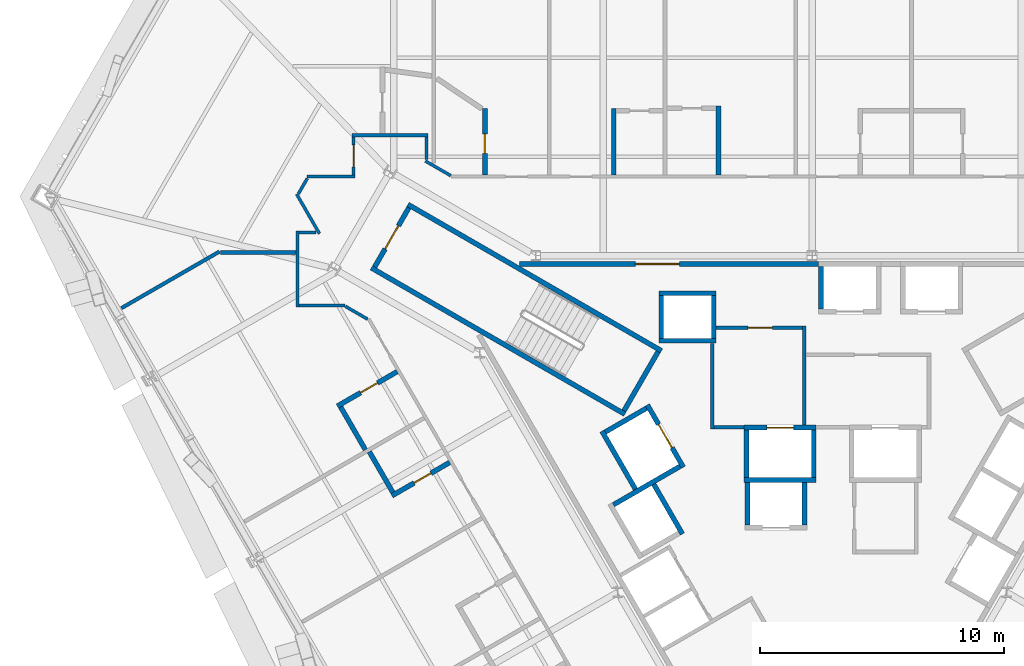
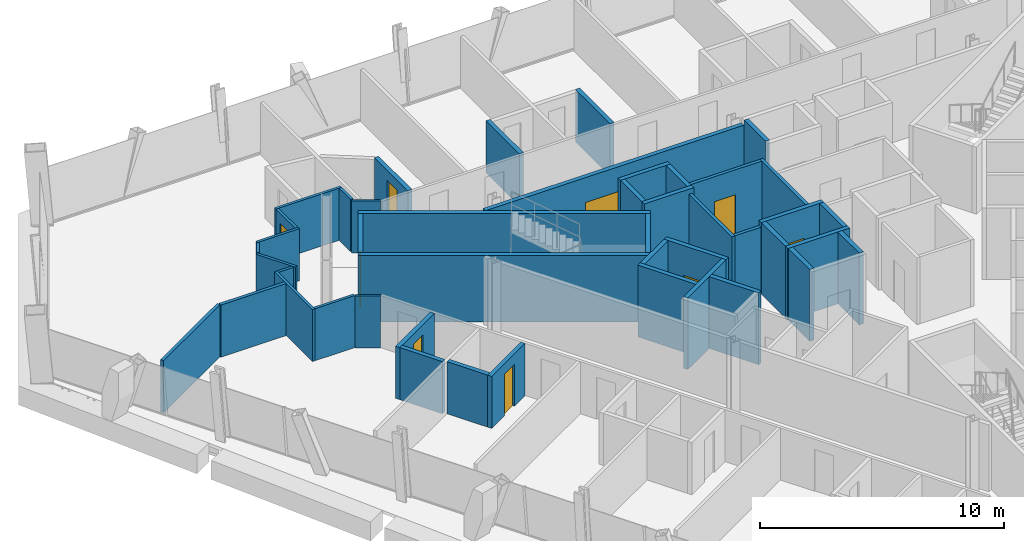
# One storey, part 10 of 15: 45 walls, 9 doors, 9 openings.
"""IFC4 building model written with IfcOpenShell, lengths in metres."""

import ifcopenshell
import ifcopenshell.guid

model = None  # the IFC model being written
_history = None  # IfcOwnerHistory: only IFC2X3 demands one
_inside = {}  # id of a spatial element -> (the spatial element, [elements in it])
_under = {}  # id of a project, library or spatial element -> (it, [spatial elements below it])
_declared = {}  # id of a project -> (the project, [libraries it declares])
_typed = {}  # id of a type object -> (the type object, [elements of that type])
_made_of = {}  # id of a material, layer set ... -> (it, [elements and type objects made of it])


def new_model(schema):
    """Start an empty IFC model of exactly this schema.

    Asked for "IFC4X3", IfcOpenShell would pick the latest addendum, in which some entities
    have other attributes; the version numbers below select the first issue.
    IFC2X3 requires an IfcOwnerHistory on every rooted entity: one is made here for all.
    """
    global model, _history
    if schema == "IFC4X3":
        model = ifcopenshell.file(schema_version=(4, 3, 0, 0))
    else:
        model = ifcopenshell.file(schema=schema)
    _inside.clear()
    _under.clear()
    _declared.clear()
    _typed.clear()
    _made_of.clear()
    _history = None
    if model.schema == "IFC2X3":
        org = make("IfcOrganization", Name="unknown")
        user = make(
            "IfcPersonAndOrganization",
            ThePerson=make("IfcPerson", FamilyName="unknown"),
            TheOrganization=org,
        )
        app = make(
            "IfcApplication",
            ApplicationDeveloper=org,
            Version="unknown",
            ApplicationFullName="unknown",
            ApplicationIdentifier="unknown",
        )
        _history = make(
            "IfcOwnerHistory",
            OwningUser=user,
            OwningApplication=app,
            ChangeAction="ADDED",
            CreationDate=0,
        )
    return model


def make(cls, **values):
    """One entity of the class cls with the attributes given. An attribute that is None is left unset."""
    return model.create_entity(
        cls, **{name: value for name, value in values.items() if value is not None}
    )


def rooted(cls, **values):
    """An entity with a GlobalId (a new one), such as an element, a storey or a relation."""
    return make(cls, GlobalId=ifcopenshell.guid.new(), OwnerHistory=_history, **values)


def si_unit(unit_type, name, prefix=None):
    """IfcSIUnit, for example si_unit("LENGTHUNIT", "METRE", prefix="MILLI")."""
    return make("IfcSIUnit", UnitType=unit_type, Prefix=prefix, Name=name)


def assignment(units):
    """IfcUnitAssignment: the units of a project."""
    return None if units is None else make("IfcUnitAssignment", Units=units)


def point(xyz):
    """IfcCartesianPoint."""
    return None if xyz is None else make("IfcCartesianPoint", Coordinates=xyz)


def direction(xyz):
    """IfcDirection."""
    return None if xyz is None else make("IfcDirection", DirectionRatios=xyz)


def frame(location, z_axis=None, x_axis=None):
    """IfcAxis2Placement3D, a coordinate frame: its origin and axes. An axis left out is left unset."""
    return make(
        "IfcAxis2Placement3D",
        Location=point(location),
        Axis=direction(z_axis),
        RefDirection=direction(x_axis),
    )


def frame_2d(location, x_axis=None):
    """IfcAxis2Placement2D, a coordinate frame in the plane: its origin and x axis."""
    return make(
        "IfcAxis2Placement2D", Location=point(location), RefDirection=direction(x_axis)
    )


def origin():
    """The frame at (0, 0, 0) with its axes left unset."""
    return frame((0.0, 0.0, 0.0))


def place(relative_to, where):
    """IfcLocalPlacement: puts the frame where relative to a parent placement (None: the world)."""
    return make(
        "IfcLocalPlacement", PlacementRelTo=relative_to, RelativePlacement=where
    )


def context(
    kind, dimensions, precision=None, world=None, true_north=None, identifier=None
):
    """IfcGeometricRepresentationContext, for example the 3D "Model" context."""
    return make(
        "IfcGeometricRepresentationContext",
        ContextIdentifier=identifier,
        ContextType=kind,
        CoordinateSpaceDimension=dimensions,
        Precision=precision,
        WorldCoordinateSystem=world,
        TrueNorth=true_north,
    )


def subcontext(parent, identifier, kind, view, scale=None):
    """IfcGeometricRepresentationSubContext, for example "Body" below "Model"."""
    return make(
        "IfcGeometricRepresentationSubContext",
        ContextIdentifier=identifier,
        ContextType=kind,
        ParentContext=parent,
        TargetScale=scale,
        TargetView=view,
    )


def project(units=None, contexts=None):
    """IfcProject with its units and contexts."""
    return rooted(
        "IfcProject",
        Name="project",
        RepresentationContexts=contexts,
        UnitsInContext=assignment(units),
    )


def spatial(cls, under=None, at=None, **own):
    """A site, building, storey or space (cls), placed at a placement, below another one or the project."""
    s = rooted(cls, ObjectPlacement=at, **own)
    if under is not None:
        _under.setdefault(under.id(), (under, []))[1].append(s)
    return s


def profile(cls, at=None, kind="AREA", **sizes):
    """A parametric profile (cls). Its sizes go by their IFC names, for example OverallWidth=200.0."""
    return make(cls, ProfileType=kind, Position=at, **sizes)


def rectangle(**sizes):
    """IfcRectangleProfileDef."""
    return profile("IfcRectangleProfileDef", **sizes)


def extrude(swept, where, along, depth):
    """IfcExtrudedAreaSolid: the profile swept, set in the frame where, extruded along a direction by depth."""
    return make(
        "IfcExtrudedAreaSolid",
        SweptArea=swept,
        Position=where,
        ExtrudedDirection=direction(along),
        Depth=depth,
    )


def shape(context_of_items, identifier, shape_type, items):
    """IfcShapeRepresentation: the items that make up one representation, for example the "Body"."""
    return make(
        "IfcShapeRepresentation",
        ContextOfItems=context_of_items,
        RepresentationIdentifier=identifier,
        RepresentationType=shape_type,
        Items=items,
    )


def material(Name=None, Category=None):
    """IfcMaterial."""
    return make("IfcMaterial", Name=Name, Category=Category)


def layer(
    of_material, thickness, ventilated=None, Name=None, Category=None, Priority=None
):
    """IfcMaterialLayer: one layer of a wall or slab, of a material (None: an air gap)."""
    return make(
        "IfcMaterialLayer",
        Material=of_material,
        LayerThickness=thickness,
        IsVentilated=ventilated,
        Name=Name,
        Category=Category,
        Priority=Priority,
    )


def layer_set(layers, Name=None):
    """IfcMaterialLayerSet."""
    return make("IfcMaterialLayerSet", MaterialLayers=layers, LayerSetName=Name)


def made_of(thing, what):
    """Note that an element or type object is made of a material, layer set ...; save() writes the relation."""
    if what is not None:
        _made_of.setdefault(what.id(), (what, []))[1].append(thing)
    return thing


def type_object(cls, material=None, **own):
    """A type object (cls), such as IfcWallType, which elements share."""
    return made_of(rooted(cls, **own), material)


def element(
    cls,
    number,
    at=None,
    inside=None,
    cuts=None,
    type_object=None,
    material=None,
    context=None,
    identifier="Body",
    shape_type=None,
    held_by="IfcProductDefinitionShape",
    body=None,
    shapes=None,
    **own,
):
    """One element of the class cls, such as IfcWall. Its Tag is "e" and its number.

    at: its placement. inside: the storey or other place that contains it. cuts: it is an
    opening in that element (IfcRelVoidsElement). A single representation is given by context,
    identifier, shape_type and body (its items); several are given by shapes. held_by: the class
    of the entity that holds the representations. save() writes the other relations.
    """
    e = rooted(cls, Tag="e%d" % number, ObjectPlacement=at, **own)
    if body is not None:
        shapes = [shape(context, identifier, shape_type, body)]
    if shapes is not None:
        e.Representation = make(held_by, Representations=shapes)
    if inside is not None:
        _inside.setdefault(inside.id(), (inside, []))[1].append(e)
    if cuts is not None:
        rooted(
            "IfcRelVoidsElement", RelatingBuildingElement=cuts, RelatedOpeningElement=e
        )
    if type_object is not None:
        _typed.setdefault(type_object.id(), (type_object, []))[1].append(e)
    return made_of(e, material)


def fill(opening, filler):
    """IfcRelFillsElement: the door or window that sits in an opening."""
    return rooted(
        "IfcRelFillsElement",
        RelatingOpeningElement=opening,
        RelatedBuildingElement=filler,
    )


def aggregate(whole, parts):
    """IfcRelAggregates: a whole, such as a stair, and the parts it consists of."""
    return rooted("IfcRelAggregates", RelatingObject=whole, RelatedObjects=parts)


def save(model, path):
    """Write the relations noted so far, then the file.

    IfcRelAggregates (storeys below a building ...), IfcRelContainedInSpatialStructure (elements
    in a storey), IfcRelDefinesByType, IfcRelAssociatesMaterial and IfcRelDeclares: one each for
    every whole, place, type object, material and project.
    """
    for whole, parts in _under.values():
        aggregate(whole, parts)
    for where, things in _inside.values():
        rooted(
            "IfcRelContainedInSpatialStructure",
            RelatedElements=things,
            RelatingStructure=where,
        )
    for kind, things in _typed.values():
        rooted("IfcRelDefinesByType", RelatedObjects=things, RelatingType=kind)
    for what, things in _made_of.values():
        rooted("IfcRelAssociatesMaterial", RelatedObjects=things, RelatingMaterial=what)
    for by, libraries in _declared.values():
        rooted("IfcRelDeclares", RelatingContext=by, RelatedDefinitions=libraries)
    model.write(path)


model = new_model("IFC4")

# Units and contexts
model_context = context("Model", 3, precision=1e-05, world=origin(), true_north=direction((0.0, 1.0)))
body_context = subcontext(model_context, "Body", "Model", "MODEL_VIEW")
ifc_project = project(units=[si_unit("LENGTHUNIT", "METRE"), si_unit("AREAUNIT", "SQUARE_METRE"), si_unit("VOLUMEUNIT", "CUBIC_METRE"), si_unit("PLANEANGLEUNIT", "RADIAN"), si_unit("MASSUNIT", "GRAM", prefix="KILO")], contexts=[model_context])

# Site, building, storey
site_placement = place(None, origin())
site = spatial("IfcSite", under=ifc_project, at=site_placement, CompositionType="ELEMENT")
building_placement = place(site_placement, origin())
building = spatial("IfcBuilding", under=site, at=building_placement, Name="Verrane Prism Tower", CompositionType="ELEMENT")
storey_placement = place(building_placement, frame((0.0, 0.0, 72.800048828125)))
storey = spatial("IfcBuildingStorey", under=building, at=storey_placement, Name="L16", CompositionType="ELEMENT", Elevation=72.800048828125)

# Wall, opening, door
ifc_material_1 = material(Name="Gypsum board partition", Category="other")
ifc_layer_1 = layer(ifc_material_1, 0.199951171875)
ifc_layer_set_1 = layer_set([ifc_layer_1], Name="CW-200 core boundary wall 2 h")
wall_type_1 = type_object("IfcWallType", Name="CW-200 core boundary wall 2 h", PredefinedType="PARTITIONING", material=ifc_layer_set_1)
wall_1_placement = place(storey_placement, frame((0.262939453125, 8.860107421875, 0.0), z_axis=(0.0, 0.0, 1.0), x_axis=(-1.0, 0.0, 0.0)))
wall_1 = element("IfcWall", 1, at=wall_1_placement, inside=storey, type_object=wall_type_1, Name="Core boundary wall CW3-002", PredefinedType="PARTITIONING", context=body_context, shape_type="SweptSolid", body=[
    extrude(rectangle(XDim=12.25390625, YDim=0.199951171875, at=frame_2d((6.126953125, 0.0))), origin(), (0.0, 0.0, 1.0), 3.349853515625),
])
opening_1_placement = place(wall_1_placement, frame((5.708984375, 0.0, 0.0)))
opening_1 = element("IfcOpeningElement", 2, at=opening_1_placement, cuts=wall_1, Name="Opening D14511", PredefinedType="OPENING", context=body_context, shape_type="SweptSolid", body=[
    extrude(rectangle(XDim=1.800048828125, YDim=2.10009765625, at=frame_2d((0.89990234375, 1.050048828125))), frame((0.0, 0.10986328125, 0.0), z_axis=(0.0, -1.0, 0.0), x_axis=(1.0, 0.0, 0.0)), (0.0, 0.0, 1.0), 0.219970703125),
])
ifc_material_2 = material(Name="Timber veneered door leaf", Category="wood")
door_type_1 = type_object("IfcDoorType", Name="DR-1800x2100 FD60 double leaf lift lobby", OperationType="NOTDEFINED", PredefinedType="DOOR", material=ifc_material_2)
door_1_placement = place(opening_1_placement, origin())
door_1 = element("IfcDoor", 3, at=door_1_placement, inside=storey, type_object=door_type_1, Name="Lift lobby door D14511", OperationType="DOUBLE_DOOR_SINGLE_SWING", OverallHeight=2.10009765625, OverallWidth=1.800048828125, PredefinedType="DOOR", context=body_context, shape_type="SweptSolid", body=[
    extrude(rectangle(XDim=1.800048828125, YDim=2.10009765625, at=frame_2d((0.89990234375, 1.050048828125))), frame((0.0, 0.02490234375, 0.0), z_axis=(0.0, -1.0, 0.0), x_axis=(1.0, 0.0, 0.0)), (0.0, 0.0, 1.0), 0.050048828125),
])
fill(opening_1, door_1)

ifc_material_3 = material(Name="Concrete C40/50", Category="concrete")
ifc_layer_2 = layer(ifc_material_3, 0.199951171875)
ifc_layer_set_2 = layer_set([ifc_layer_2], Name="CW-200 stair core wall concrete C40/50 3 h")
wall_type_2 = type_object("IfcWallType", Name="CW-200 stair core wall concrete C40/50 3 h", PredefinedType="PARTITIONING", material=ifc_layer_set_2)
wall_2_placement = place(storey_placement, frame((-16.533935546875, 11.162353515625, 0.0), z_axis=(0.0, 0.0, 1.0), x_axis=(-0.49998411664, -0.866034573852, 0.0)))
wall_2 = element("IfcWall", 4, at=wall_2_placement, inside=storey, type_object=wall_type_2, Name="Stair 2 enclosure wall", PredefinedType="PARTITIONING", context=body_context, shape_type="SweptSolid", body=[
    extrude(rectangle(XDim=2.7998046875, YDim=0.199951171875, at=frame_2d((1.39990234375, 0.0))), origin(), (0.0, 0.0, 1.0), 3.349853515625),
])
opening_2_placement = place(wall_2_placement, frame((0.849853515625, 0.0, 0.0)))
opening_2 = element("IfcOpeningElement", 5, at=opening_2_placement, cuts=wall_2, Name="Opening D14501", PredefinedType="OPENING", context=body_context, shape_type="SweptSolid", body=[
    extrude(rectangle(XDim=1.10009765625, YDim=2.10009765625, at=frame_2d((0.550048828125, 1.050048828125))), frame((0.0, 0.10986328125, 0.0), z_axis=(0.0, -1.0, 0.0), x_axis=(1.0, 0.0, 0.0)), (0.0, 0.0, 1.0), 0.219970703125),
])
ifc_material_4 = material(Name="Timber veneered door leaf", Category="wood")
door_type_2 = type_object("IfcDoorType", Name="DR-1100x2100 FD90 single leaf stair", OperationType="NOTDEFINED", PredefinedType="DOOR", material=ifc_material_4)
door_2_placement = place(opening_2_placement, origin())
door_2 = element("IfcDoor", 6, at=door_2_placement, inside=storey, type_object=door_type_2, Name="Stair 2 door", OperationType="SINGLE_SWING_RIGHT", OverallHeight=2.10009765625, OverallWidth=1.10009765625, PredefinedType="DOOR", context=body_context, shape_type="SweptSolid", body=[
    extrude(rectangle(XDim=1.10009765625, YDim=2.10009765625, at=frame_2d((0.550048828125, 1.050048828125))), frame((0.0, 0.02490234375, 0.0), z_axis=(0.0, -1.0, 0.0), x_axis=(1.0, 0.0, 0.0)), (0.0, 0.0, 1.0), 0.050048828125),
])
fill(opening_2, door_2)

# Walls
for number, where, z_axis, x_axis, name in (
    (7, (-7.67822265625, 2.700927734375, 0.0), (0.0, 0.0, 1.0), (-0.866026010844, 0.49999894854, 0.0), "Stair 2 enclosure wall"),
    (8, (-6.17822265625, 5.299072265625, 0.0), (0.0, 0.0, 1.0), (-0.866026010844, 0.49999894854, 0.0), "Stair 2 enclosure wall"),
):
    element("IfcWall", number, at=place(storey_placement, frame(where, z_axis=z_axis, x_axis=x_axis)), inside=storey, type_object=wall_type_2, Name=name, PredefinedType="PARTITIONING", context=body_context, shape_type="SweptSolid", body=[
        extrude(rectangle(XDim=12.0, YDim=0.199951171875, at=frame_2d((6.0, 0.0))), origin(), (0.0, 0.0, 1.0), 3.349853515625),
    ])
wall_3_placement = place(storey_placement, frame((-6.314697265625, 5.262451171875, 0.0), z_axis=(0.0, 0.0, 1.0), x_axis=(-0.500049511043, -0.865996816683, 0.0)))
element("IfcWall", 9, at=wall_3_placement, inside=storey, type_object=wall_type_2, Name="Stair 2 enclosure wall", PredefinedType="PARTITIONING", context=body_context, shape_type="SweptSolid", body=[
    extrude(rectangle(XDim=2.800048828125, YDim=0.199951171875, at=frame_2d((1.39990234375, 0.0))), origin(), (0.0, 0.0, 1.0), 3.349853515625),
])
ifc_material_5 = material(Name="Gypsum board shaft wall assembly", Category="other")
ifc_layer_3 = layer(ifc_material_5, 0.199951171875)
ifc_layer_set_3 = layer_set([ifc_layer_3], Name="HW-200 lift shaft wall 2 h")
wall_type_3 = type_object("IfcWallType", Name="HW-200 lift shaft wall 2 h", PredefinedType="PARTITIONING", material=ifc_layer_set_3)
wall_4_placement = place(storey_placement, frame((-2.784912109375, 0.0, 0.0), z_axis=(0.0, 0.0, 1.0), x_axis=(1.0, 0.0, 0.0)))
element("IfcWall", 10, at=wall_4_placement, inside=storey, type_object=wall_type_3, Name="Lift shaft wall", PredefinedType="PARTITIONING", context=body_context, shape_type="SweptSolid", body=[
    extrude(rectangle(XDim=2.949951171875, YDim=0.199951171875, at=frame_2d((1.47509765625, 0.0))), origin(), (0.0, 0.0, 1.0), 3.599853515625),
])

# Wall, opening, door
wall_5_placement = place(storey_placement, frame((-2.784912109375, 2.14990234375, 0.0), z_axis=(0.0, 0.0, 1.0), x_axis=(1.0, 0.0, 0.0)))
wall_5 = element("IfcWall", 11, at=wall_5_placement, inside=storey, type_object=wall_type_3, Name="Lift shaft wall", PredefinedType="PARTITIONING", context=body_context, shape_type="SweptSolid", body=[
    extrude(rectangle(XDim=2.949951171875, YDim=0.199951171875, at=frame_2d((1.47509765625, 0.0))), origin(), (0.0, 0.0, 1.0), 3.599853515625),
])
opening_3_placement = place(wall_5_placement, frame((0.925048828125, 0.0, 0.0)))
opening_3 = element("IfcOpeningElement", 12, at=opening_3_placement, cuts=wall_5, Name="Opening D14508", PredefinedType="OPENING", context=body_context, shape_type="SweptSolid", body=[
    extrude(rectangle(XDim=1.10009765625, YDim=2.10009765625, at=frame_2d((0.550048828125, 1.050048828125))), frame((0.0, 0.10986328125, 0.0), z_axis=(0.0, -1.0, 0.0), x_axis=(1.0, 0.0, 0.0)), (0.0, 0.0, 1.0), 0.219970703125),
])
ifc_material_6 = material(Name="Stainless steel sliding landing door", Category="steel")
door_type_3 = type_object("IfcDoorType", Name="LD-1100x2100 lift landing door FD90 sliding", OperationType="NOTDEFINED", PredefinedType="DOOR", material=ifc_material_6)
door_3_placement = place(opening_3_placement, origin())
door_3 = element("IfcDoor", 13, at=door_3_placement, inside=storey, type_object=door_type_3, Name="Fire service lift 1 landing door", OperationType="SLIDING_TO_LEFT", OverallHeight=2.10009765625, OverallWidth=1.10009765625, PredefinedType="DOOR", context=body_context, shape_type="SweptSolid", body=[
    extrude(rectangle(XDim=1.10009765625, YDim=2.10009765625, at=frame_2d((0.550048828125, 1.050048828125))), frame((0.0, 0.02490234375, 0.0), z_axis=(0.0, -1.0, 0.0), x_axis=(1.0, 0.0, 0.0)), (0.0, 0.0, 1.0), 0.050048828125),
])
fill(opening_3, door_3)

# Walls
for number, where, z_axis, x_axis, name in (
    (14, (-6.284912109375, 5.7099609375, 0.0), (0.0, 0.0, 1.0), (1.0, 0.0, 0.0), "Lift shaft wall"),
    (15, (-6.284912109375, 7.659912109375, 0.0), (0.0, 0.0, 1.0), (1.0, 0.0, 0.0), "Lift shaft wall"),
):
    element("IfcWall", number, at=place(storey_placement, frame(where, z_axis=z_axis, x_axis=x_axis)), inside=storey, type_object=wall_type_3, Name=name, PredefinedType="PARTITIONING", context=body_context, shape_type="SweptSolid", body=[
        extrude(rectangle(XDim=2.349853515625, YDim=0.199951171875, at=frame_2d((1.1748046875, 0.0))), origin(), (0.0, 0.0, 1.0), 3.599853515625),
    ])
wall_6_placement = place(storey_placement, frame((-8.14453125, -1.012939453125, 0.0), z_axis=(0.0, 0.0, 1.0), x_axis=(0.866016494683, 0.500015430699, 0.0)))
element("IfcWall", 16, at=wall_6_placement, inside=storey, type_object=wall_type_3, Name="Lift shaft wall", PredefinedType="PARTITIONING", context=body_context, shape_type="SweptSolid", body=[
    extrude(rectangle(XDim=3.14990234375, YDim=0.199951171875, at=frame_2d((1.574951171875, 0.0))), origin(), (0.0, 0.0, 1.0), 3.599853515625),
])
wall_7_placement = place(storey_placement, frame((-8.48046875, 1.968505859375, 0.0), z_axis=(0.0, 0.0, 1.0), x_axis=(0.866000020948, 0.500043961785, 0.0)))
element("IfcWall", 17, at=wall_7_placement, inside=storey, type_object=wall_type_3, Name="Lift shaft wall", PredefinedType="PARTITIONING", context=body_context, shape_type="SweptSolid", body=[
    extrude(rectangle(XDim=1.949951171875, YDim=0.199951171875, at=frame_2d((0.97509765625, 0.0))), origin(), (0.0, 0.0, 1.0), 3.599853515625),
])
wall_8_placement = place(storey_placement, frame((0.364990234375, 7.010009765625, 0.0), z_axis=(0.0, 0.0, 1.0), x_axis=(0.0, 1.0, 0.0)))
element("IfcWall", 18, at=wall_8_placement, inside=storey, type_object=wall_type_3, Name="Lift shaft wall", PredefinedType="PARTITIONING", context=body_context, shape_type="SweptSolid", body=[
    extrude(rectangle(XDim=1.75, YDim=0.199951171875, at=frame_2d((0.875, 0.0))), origin(), (0.0, 0.0, 1.0), 3.599853515625),
])
wall_9_placement = place(storey_placement, frame((0.06494140625, 0.10009765625, 0.0), z_axis=(0.0, 0.0, 1.0), x_axis=(0.0, 1.0, 0.0)))
element("IfcWall", 19, at=wall_9_placement, inside=storey, type_object=wall_type_3, Name="Lift shaft wall", PredefinedType="PARTITIONING", context=body_context, shape_type="SweptSolid", body=[
    extrude(rectangle(XDim=1.949951171875, YDim=0.199951171875, at=frame_2d((0.97509765625, 0.0))), origin(), (0.0, 0.0, 1.0), 3.599853515625),
])
for number, where, z_axis, x_axis, name in (
    (20, (-0.304931640625, -1.85009765625, 0.0), (0.0, 0.0, 1.0), (0.0, 1.0, 0.0), "Lift shaft wall"),
    (21, (-2.655029296875, -1.85009765625, 0.0), (0.0, 0.0, 1.0), (0.0, 1.0, 0.0), "Lift shaft wall"),
):
    element("IfcWall", number, at=place(storey_placement, frame(where, z_axis=z_axis, x_axis=x_axis)), inside=storey, type_object=wall_type_3, Name=name, PredefinedType="PARTITIONING", context=body_context, shape_type="SweptSolid", body=[
        extrude(rectangle(XDim=1.75, YDim=0.199951171875, at=frame_2d((0.875, 0.0))), origin(), (0.0, 0.0, 1.0), 3.599853515625),
    ])
wall_10_placement = place(storey_placement, frame((-2.68505859375, 0.10009765625, 0.0), z_axis=(0.0, 0.0, 1.0), x_axis=(0.0, 1.0, 0.0)))
element("IfcWall", 22, at=wall_10_placement, inside=storey, type_object=wall_type_3, Name="Lift shaft wall", PredefinedType="PARTITIONING", context=body_context, shape_type="SweptSolid", body=[
    extrude(rectangle(XDim=1.949951171875, YDim=0.199951171875, at=frame_2d((0.97509765625, 0.0))), origin(), (0.0, 0.0, 1.0), 3.599853515625),
])
for number, where, z_axis, x_axis, name in (
    (23, (-4.034912109375, 5.81005859375, 0.0), (0.0, 0.0, 1.0), (0.0, 1.0, 0.0), "Lift shaft wall"),
    (24, (-6.18505859375, 5.81005859375, 0.0), (0.0, 0.0, 1.0), (0.0, 1.0, 0.0), "Lift shaft wall"),
):
    element("IfcWall", number, at=place(storey_placement, frame(where, z_axis=z_axis, x_axis=x_axis)), inside=storey, type_object=wall_type_3, Name=name, PredefinedType="PARTITIONING", context=body_context, shape_type="SweptSolid", body=[
        extrude(rectangle(XDim=1.75, YDim=0.199951171875, at=frame_2d((0.875, 0.0))), origin(), (0.0, 0.0, 1.0), 3.599853515625),
    ])

# Wall, opening, door
wall_11_placement = place(storey_placement, frame((-5.280029296875, 0.525390625, 0.0), z_axis=(0.0, 0.0, 1.0), x_axis=(-0.500037662692, 0.866003658127, 0.0)))
wall_11 = element("IfcWall", 25, at=wall_11_placement, inside=storey, type_object=wall_type_3, Name="Lift shaft wall", PredefinedType="PARTITIONING", context=body_context, shape_type="SweptSolid", body=[
    extrude(rectangle(XDim=2.949951171875, YDim=0.199951171875, at=frame_2d((1.47509765625, 0.0))), origin(), (0.0, 0.0, 1.0), 3.599853515625),
])
opening_4_placement = place(wall_11_placement, frame((0.925048828125, 0.0, 0.0)))
opening_4 = element("IfcOpeningElement", 26, at=opening_4_placement, cuts=wall_11, Name="Opening D14510", PredefinedType="OPENING", context=body_context, shape_type="SweptSolid", body=[
    extrude(rectangle(XDim=1.10009765625, YDim=2.10009765625, at=frame_2d((0.550048828125, 1.050048828125))), frame((0.0, 0.10986328125, 0.0), z_axis=(0.0, -1.0, 0.0), x_axis=(1.0, 0.0, 0.0)), (0.0, 0.0, 1.0), 0.219970703125),
])
door_4_placement = place(opening_4_placement, origin())
door_4 = element("IfcDoor", 27, at=door_4_placement, inside=storey, type_object=door_type_3, Name="Service lift 1 landing door", OperationType="SLIDING_TO_LEFT", OverallHeight=2.10009765625, OverallWidth=1.10009765625, PredefinedType="DOOR", context=body_context, shape_type="SweptSolid", body=[
    extrude(rectangle(XDim=1.10009765625, YDim=2.10009765625, at=frame_2d((0.550048828125, 1.050048828125))), frame((0.0, 0.02490234375, 0.0), z_axis=(0.0, -1.0, 0.0), x_axis=(1.0, 0.0, 0.0)), (0.0, 0.0, 1.0), 0.050048828125),
])
fill(opening_4, door_4)

# Walls
wall_12_placement = place(storey_placement, frame((-5.317626953125, -2.209716796875, 0.0), z_axis=(0.0, 0.0, 1.0), x_axis=(-0.499938297808, 0.866061024631, 0.0)))
element("IfcWall", 28, at=wall_12_placement, inside=storey, type_object=wall_type_3, Name="Lift shaft wall", PredefinedType="PARTITIONING", context=body_context, shape_type="SweptSolid", body=[
    extrude(rectangle(XDim=2.349853515625, YDim=0.199951171875, at=frame_2d((1.1748046875, 0.0))), origin(), (0.0, 0.0, 1.0), 3.599853515625),
])
wall_13_placement = place(storey_placement, frame((-7.241943359375, -0.37646484375, 0.0), z_axis=(0.0, 0.0, 1.0), x_axis=(-0.499996545922, 0.866027397988, 0.0)))
element("IfcWall", 29, at=wall_13_placement, inside=storey, type_object=wall_type_3, Name="Lift shaft wall", PredefinedType="PARTITIONING", context=body_context, shape_type="SweptSolid", body=[
    extrude(rectangle(XDim=2.75, YDim=0.199951171875, at=frame_2d((1.375, 0.0))), origin(), (0.0, 0.0, 1.0), 3.599853515625),
])
ifc_material_7 = material(Name="Gypsum board partition", Category="other")
ifc_layer_4 = layer(ifc_material_7, 0.14990234375)
ifc_layer_set_4 = layer_set([ifc_layer_4], Name="LF-150 firefighting lobby wall 1 h")
wall_type_4 = type_object("IfcWallType", Name="LF-150 firefighting lobby wall 1 h", PredefinedType="PARTITIONING", material=ifc_layer_set_4)
wall_14_placement = place(storey_placement, frame((-4.10009765625, 2.0849609375, 0.0), z_axis=(0.0, 0.0, 1.0), x_axis=(0.0, 1.0, 0.0)))
element("IfcWall", 30, at=wall_14_placement, inside=storey, type_object=wall_type_4, Name="Firefighting lobby wall LF1-001", PredefinedType="PARTITIONING", context=body_context, shape_type="SweptSolid", body=[
    extrude(rectangle(XDim=3.52294921875, YDim=0.14990234375, at=frame_2d((1.761474609375, 0.0))), origin(), (0.0, 0.0, 1.0), 3.349853515625),
])
wall_15_placement = place(storey_placement, frame((-4.02490234375, 2.159912109375, 0.0), z_axis=(0.0, 0.0, 1.0), x_axis=(1.0, 0.0, 0.0)))
element("IfcWall", 31, at=wall_15_placement, inside=storey, type_object=wall_type_4, Name="Firefighting lobby wall LF1-002", PredefinedType="PARTITIONING", context=body_context, shape_type="SweptSolid", body=[
    extrude(rectangle(XDim=1.23779296875, YDim=0.14990234375, at=frame_2d((0.618896484375, 0.0))), origin(), (0.0, 0.0, 1.0), 3.349853515625),
])

# Wall, opening, door
wall_16_placement = place(storey_placement, frame((-3.93310546875, 6.239990234375, 0.0), z_axis=(0.0, 0.0, 1.0), x_axis=(1.0, 0.0, 0.0)))
wall_16 = element("IfcWall", 32, at=wall_16_placement, inside=storey, type_object=wall_type_4, Name="Firefighting lobby wall LF1-003", PredefinedType="PARTITIONING", context=body_context, shape_type="SweptSolid", body=[
    extrude(rectangle(XDim=3.5380859375, YDim=0.14990234375, at=frame_2d((1.76904296875, 0.0))), origin(), (0.0, 0.0, 1.0), 3.349853515625),
])
opening_5_placement = place(wall_16_placement, frame((1.300048828125, 0.0, 0.0)))
opening_5 = element("IfcOpeningElement", 33, at=opening_5_placement, cuts=wall_16, Name="Opening D14515", PredefinedType="OPENING", context=body_context, shape_type="SweptSolid", body=[
    extrude(rectangle(XDim=1.0, YDim=2.10009765625, at=frame_2d((0.5, 1.050048828125))), frame((0.0, 0.0849609375, 0.0), z_axis=(0.0, -1.0, 0.0), x_axis=(1.0, 0.0, 0.0)), (0.0, 0.0, 1.0), 0.169921875),
])
ifc_material_8 = material(Name="Timber veneered door leaf", Category="wood")
door_type_4 = type_object("IfcDoorType", Name="DR-1000x2100 FD60 single leaf firefighting lobby", OperationType="NOTDEFINED", PredefinedType="DOOR", material=ifc_material_8)
door_5_placement = place(opening_5_placement, origin())
door_5 = element("IfcDoor", 34, at=door_5_placement, inside=storey, type_object=door_type_4, Name="Firefighting lobby door D14515", OperationType="SINGLE_SWING_LEFT", OverallHeight=2.10009765625, OverallWidth=1.0, PredefinedType="DOOR", context=body_context, shape_type="SweptSolid", body=[
    extrude(rectangle(XDim=1.0, YDim=2.10009765625, at=frame_2d((0.5, 1.050048828125))), frame((0.0, 0.02490234375, 0.0), z_axis=(0.0, -1.0, 0.0), x_axis=(1.0, 0.0, 0.0)), (0.0, 0.0, 1.0), 0.050048828125),
])
fill(opening_5, door_5)

# Walls
wall_17_placement = place(storey_placement, frame((-0.320068359375, 2.251953125, 0.0), z_axis=(0.0, 0.0, 1.0), x_axis=(0.0, 1.0, 0.0)))
element("IfcWall", 35, at=wall_17_placement, inside=storey, type_object=wall_type_4, Name="Firefighting lobby wall LF1-004", PredefinedType="PARTITIONING", context=body_context, shape_type="SweptSolid", body=[
    extrude(rectangle(XDim=4.06298828125, YDim=0.14990234375, at=frame_2d((2.031494140625, 0.0))), origin(), (0.0, 0.0, 1.0), 3.349853515625),
])
ifc_material_9 = material(Name="Gypsum board partition", Category="other")
ifc_layer_5 = layer(ifc_material_9, 0.125)
ifc_layer_set_5 = layer_set([ifc_layer_5], Name="PW-125 corridor wall 1 h")
wall_type_5 = type_object("IfcWallType", Name="PW-125 corridor wall 1 h", PredefinedType="PARTITIONING", material=ifc_layer_set_5)
wall_18_placement = place(storey_placement, frame((-21.05859375, 11.74072265625, 0.0), z_axis=(0.0, 0.0, 1.0), x_axis=(0.500238258503, 0.865887801468, 0.0)))
element("IfcWall", 36, at=wall_18_placement, inside=storey, type_object=wall_type_5, Name="Corridor wall 004", PredefinedType="PARTITIONING", context=body_context, shape_type="SweptSolid", body=[
    extrude(rectangle(XDim=0.723876953125, YDim=0.125, at=frame_2d((0.36181640625, 0.0))), origin(), (0.0, 0.0, 1.0), 2.613037109375),
])
wall_19_placement = place(storey_placement, frame((-21.13232421875, 11.72119140625, 0.0), z_axis=(0.0, 0.0, 1.0), x_axis=(0.500072997275, -0.865983254686, 0.0)))
element("IfcWall", 37, at=wall_19_placement, inside=storey, type_object=wall_type_5, Name="Corridor wall 005", PredefinedType="PARTITIONING", context=body_context, shape_type="SweptSolid", body=[
    extrude(rectangle(XDim=1.868896484375, YDim=0.125, at=frame_2d((0.9345703125, 0.0))), origin(), (0.0, 0.0, 1.0), 2.613037109375),
])
wall_20_placement = place(storey_placement, frame((-21.096923828125, 7.1005859375, 0.0), z_axis=(0.0, 0.0, 1.0), x_axis=(0.0, 1.0, 0.0)))
element("IfcWall", 38, at=wall_20_placement, inside=storey, type_object=wall_type_5, Name="Corridor wall 006", PredefinedType="PARTITIONING", context=body_context, shape_type="SweptSolid", body=[
    extrude(rectangle(XDim=3.118896484375, YDim=0.125, at=frame_2d((1.5595703125, 0.0))), origin(), (0.0, 0.0, 1.0), 2.613037109375),
])
wall_21_placement = place(storey_placement, frame((-21.031982421875, 7.1630859375, 0.0), z_axis=(0.0, 0.0, 1.0), x_axis=(1.0, 0.0, 0.0)))
element("IfcWall", 39, at=wall_21_placement, inside=storey, type_object=wall_type_5, Name="Corridor wall 007", PredefinedType="PARTITIONING", context=body_context, shape_type="SweptSolid", body=[
    extrude(rectangle(XDim=1.888427734375, YDim=0.125, at=frame_2d((0.9443359375, 0.0))), origin(), (0.0, 0.0, 1.0), 2.613037109375),
])
wall_22_placement = place(storey_placement, frame((-21.031982421875, 10.156982421875, 0.0), z_axis=(0.0, 0.0, 1.0), x_axis=(1.0, 0.0, 0.0)))
element("IfcWall", 40, at=wall_22_placement, inside=storey, type_object=wall_type_5, Name="Corridor wall 008", PredefinedType="PARTITIONING", context=body_context, shape_type="SweptSolid", body=[
    extrude(rectangle(XDim=0.697998046875, YDim=0.125, at=frame_2d((0.34912109375, 0.0))), origin(), (0.0, 0.0, 1.0), 2.613037109375),
])
wall_23_placement = place(storey_placement, frame((-20.716552734375, 12.44091796875, 0.0), z_axis=(0.0, 0.0, 1.0), x_axis=(1.0, 0.0, 0.0)))
element("IfcWall", 41, at=wall_23_placement, inside=storey, type_object=wall_type_5, Name="Corridor wall 010", PredefinedType="PARTITIONING", context=body_context, shape_type="SweptSolid", body=[
    extrude(rectangle(XDim=1.98193359375, YDim=0.125, at=frame_2d((0.990966796875, 0.0))), origin(), (0.0, 0.0, 1.0), 2.613037109375),
])
wall_24_placement = place(storey_placement, frame((-19.13232421875, 7.12060546875, 0.0), z_axis=(0.0, 0.0, 1.0), x_axis=(0.865876245925, -0.500258260045, 0.0)))
element("IfcWall", 42, at=wall_24_placement, inside=storey, type_object=wall_type_5, Name="Corridor wall 013", PredefinedType="PARTITIONING", context=body_context, shape_type="SweptSolid", body=[
    extrude(rectangle(XDim=1.0517578125, YDim=0.125, at=frame_2d((0.52587890625, 0.0))), origin(), (0.0, 0.0, 1.0), 2.613037109375),
])

# Wall, opening, door
wall_25_placement = place(storey_placement, frame((-18.797119140625, 12.506103515625, 0.0), z_axis=(0.0, 0.0, 1.0), x_axis=(0.0, 1.0, 0.0)))
wall_25 = element("IfcWall", 43, at=wall_25_placement, inside=storey, type_object=wall_type_5, Name="Corridor wall 014", PredefinedType="PARTITIONING", context=body_context, shape_type="SweptSolid", body=[
    extrude(rectangle(XDim=1.56591796875, YDim=0.125, at=frame_2d((0.782958984375, 0.0))), origin(), (0.0, 0.0, 1.0), 2.613037109375),
])
opening_6_placement = place(wall_25_placement, frame((0.3349609375, 0.0, 0.0)))
opening_6 = element("IfcOpeningElement", 44, at=opening_6_placement, cuts=wall_25, Name="Opening D14030", PredefinedType="OPENING", context=body_context, shape_type="SweptSolid", body=[
    extrude(rectangle(XDim=0.89990234375, YDim=2.10009765625, at=frame_2d((0.449951171875, 1.050048828125))), frame((0.0, 0.072509765625, 0.0), z_axis=(0.0, -1.0, 0.0), x_axis=(1.0, 0.0, 0.0)), (0.0, 0.0, 1.0), 0.14501953125),
])
ifc_material_10 = material(Name="Timber veneered door leaf", Category="wood")
door_type_5 = type_object("IfcDoorType", Name="DR-900x2100 FD20 single leaf unit", OperationType="NOTDEFINED", PredefinedType="DOOR", material=ifc_material_10)
door_6_placement = place(opening_6_placement, origin())
door_6 = element("IfcDoor", 45, at=door_6_placement, inside=storey, type_object=door_type_5, Name="Corner Suite door", OperationType="SINGLE_SWING_RIGHT", OverallHeight=2.10009765625, OverallWidth=0.89990234375, PredefinedType="DOOR", context=body_context, shape_type="SweptSolid", body=[
    extrude(rectangle(XDim=0.89990234375, YDim=2.10009765625, at=frame_2d((0.449951171875, 1.050048828125))), frame((0.0, 0.02490234375, 0.0), z_axis=(0.0, -1.0, 0.0), x_axis=(1.0, 0.0, 0.0)), (0.0, 0.0, 1.0), 0.050048828125),
])
fill(opening_6, door_6)

# Walls
wall_26_placement = place(storey_placement, frame((-18.859619140625, 14.136962890625, 0.0), z_axis=(0.0, 0.0, 1.0), x_axis=(1.0, 0.0, 0.0)))
element("IfcWall", 46, at=wall_26_placement, inside=storey, type_object=wall_type_5, Name="Corridor wall 015", PredefinedType="PARTITIONING", context=body_context, shape_type="SweptSolid", body=[
    extrude(rectangle(XDim=3.119140625, YDim=0.125, at=frame_2d((1.5595703125, 0.0))), origin(), (0.0, 0.0, 1.0), 2.613037109375),
])
wall_27_placement = place(storey_placement, frame((-15.802978515625, 13.135009765625, 0.0), z_axis=(0.0, 0.0, 1.0), x_axis=(0.0, 1.0, 0.0)))
element("IfcWall", 47, at=wall_27_placement, inside=storey, type_object=wall_type_5, Name="Corridor wall 023", PredefinedType="PARTITIONING", context=body_context, shape_type="SweptSolid", body=[
    extrude(rectangle(XDim=0.93701171875, YDim=0.125, at=frame_2d((0.468505859375, 0.0))), origin(), (0.0, 0.0, 1.0), 2.613037109375),
])
wall_28_placement = place(storey_placement, frame((-15.857177734375, 13.081298828125, 0.0), z_axis=(0.0, 0.0, 1.0), x_axis=(0.866035997947, -0.499981649923, 0.0)))
element("IfcWall", 48, at=wall_28_placement, inside=storey, type_object=wall_type_5, Name="Corridor wall 024", PredefinedType="PARTITIONING", context=body_context, shape_type="SweptSolid", body=[
    extrude(rectangle(XDim=1.19580078125, YDim=0.125, at=frame_2d((0.597900390625, 0.0))), origin(), (0.0, 0.0, 1.0), 2.613037109375),
])
ifc_material_11 = material(Name="Gypsum board partition", Category="other")
ifc_layer_6 = layer(ifc_material_11, 0.14990234375)
ifc_layer_set_6 = layer_set([ifc_layer_6], Name="PW-150 demising wall 1 h")
wall_type_6 = type_object("IfcWallType", Name="PW-150 demising wall 1 h", PredefinedType="PARTITIONING", material=ifc_layer_set_6)
wall_29_placement = place(storey_placement, frame((-28.312744140625, 7.050048828125, 0.0), z_axis=(0.0, 0.0, 1.0), x_axis=(0.866076865069, 0.499910855846, 0.0)))
element("IfcWall", 49, at=wall_29_placement, inside=storey, type_object=wall_type_6, Name="Demising wall 001", PredefinedType="PARTITIONING", context=body_context, shape_type="SweptSolid", body=[
    extrude(rectangle(XDim=4.636474609375, YDim=0.14990234375, at=frame_2d((2.318359375, 0.0))), origin(), (0.0, 0.0, 1.0), 2.613037109375),
])
wall_30_placement = place(storey_placement, frame((-24.261962890625, 9.3291015625, 0.0), z_axis=(0.0, 0.0, 1.0), x_axis=(1.0, 0.0, 0.0)))
element("IfcWall", 50, at=wall_30_placement, inside=storey, type_object=wall_type_6, Name="Demising wall 002", PredefinedType="PARTITIONING", context=body_context, shape_type="SweptSolid", body=[
    extrude(rectangle(XDim=3.1025390625, YDim=0.14990234375, at=frame_2d((1.55126953125, 0.0))), origin(), (0.0, 0.0, 1.0), 2.613037109375),
])
ifc_material_12 = material(Name="Gypsum board partition", Category="other")
ifc_layer_7 = layer(ifc_material_12, 0.199951171875)
ifc_layer_set_7 = layer_set([ifc_layer_7], Name="PW-200 plumbing wall")
wall_type_7 = type_object("IfcWallType", Name="PW-200 plumbing wall", PredefinedType="PARTITIONING", material=ifc_layer_set_7)
wall_31_placement = place(storey_placement, frame((-19.326904296875, 2.994384765625, 0.0), z_axis=(0.0, 0.0, 1.0), x_axis=(0.500042536776, -0.866000843773, 0.0)))
element("IfcWall", 51, at=wall_31_placement, inside=storey, type_object=wall_type_7, Name="Plumbing wall 011", PredefinedType="PARTITIONING", context=body_context, shape_type="SweptSolid", body=[
    extrude(rectangle(XDim=2.024658203125, YDim=0.199951171875, at=frame_2d((1.01220703125, 0.0))), origin(), (0.0, 0.0, 1.0), 2.613037109375),
])

# Wall, opening, door
wall_32_placement = place(storey_placement, frame((-17.010498046875, 4.447265625, 0.0), z_axis=(0.0, 0.0, 1.0), x_axis=(-0.866033446572, -0.499986069224, 0.0)))
wall_32 = element("IfcWall", 52, at=wall_32_placement, inside=storey, type_object=wall_type_7, Name="Plumbing wall 012", PredefinedType="PARTITIONING", context=body_context, shape_type="SweptSolid", body=[
    extrude(rectangle(XDim=2.83251953125, YDim=0.199951171875, at=frame_2d((1.416259765625, 0.0))), origin(), (0.0, 0.0, 1.0), 2.613037109375),
])
opening_7_placement = place(wall_32_placement, frame((0.9326171875, 0.0, 0.0)))
opening_7 = element("IfcOpeningElement", 53, at=opening_7_placement, cuts=wall_32, Name="Opening D14033", PredefinedType="OPENING", context=body_context, shape_type="SweptSolid", body=[
    extrude(rectangle(XDim=0.800048828125, YDim=2.10009765625, at=frame_2d((0.39990234375, 1.050048828125))), frame((0.0, 0.10986328125, 0.0), z_axis=(0.0, -1.0, 0.0), x_axis=(1.0, 0.0, 0.0)), (0.0, 0.0, 1.0), 0.219970703125),
])
ifc_material_13 = material(Name="Timber veneered door leaf", Category="wood")
door_type_6 = type_object("IfcDoorType", Name="DR-800x2100 single leaf bath", OperationType="NOTDEFINED", PredefinedType="DOOR", material=ifc_material_13)
door_7_placement = place(opening_7_placement, origin())
door_7 = element("IfcDoor", 54, at=door_7_placement, inside=storey, type_object=door_type_6, Name="En-Suite door", OperationType="SINGLE_SWING_RIGHT", OverallHeight=2.10009765625, OverallWidth=0.800048828125, PredefinedType="DOOR", context=body_context, shape_type="SweptSolid", body=[
    extrude(rectangle(XDim=0.800048828125, YDim=2.10009765625, at=frame_2d((0.39990234375, 1.050048828125))), frame((0.0, 0.02490234375, 0.0), z_axis=(0.0, -1.0, 0.0), x_axis=(1.0, 0.0, 0.0)), (0.0, 0.0, 1.0), 0.050048828125),
])
fill(opening_7, door_7)

# Wall
wall_33_placement = place(storey_placement, frame((-18.152587890625, 1.1611328125, 0.0), z_axis=(0.0, 0.0, 1.0), x_axis=(0.499971247393, -0.866042003473, 0.0)))
element("IfcWall", 55, at=wall_33_placement, inside=storey, type_object=wall_type_7, Name="Plumbing wall 017", PredefinedType="PARTITIONING", context=body_context, shape_type="SweptSolid", body=[
    extrude(rectangle(XDim=1.92529296875, YDim=0.199951171875, at=frame_2d((0.962646484375, 0.0))), origin(), (0.0, 0.0, 1.0), 2.613037109375),
])

# Wall, opening, door
wall_34_placement = place(storey_placement, frame((-17.2265625, -0.64306640625, 0.0), z_axis=(0.0, 0.0, 1.0), x_axis=(0.866012976267, 0.500021524473, 0.0)))
wall_34 = element("IfcWall", 56, at=wall_34_placement, inside=storey, type_object=wall_type_7, Name="Plumbing wall 021", PredefinedType="PARTITIONING", context=body_context, shape_type="SweptSolid", body=[
    extrude(rectangle(XDim=2.732421875, YDim=0.199951171875, at=frame_2d((1.3662109375, 0.0))), origin(), (0.0, 0.0, 1.0), 2.613037109375),
])
opening_8_placement = place(wall_34_placement, frame((1.050048828125, 0.0, 0.0)))
opening_8 = element("IfcOpeningElement", 57, at=opening_8_placement, cuts=wall_34, Name="Opening D14035", PredefinedType="OPENING", context=body_context, shape_type="SweptSolid", body=[
    extrude(rectangle(XDim=0.800048828125, YDim=2.10009765625, at=frame_2d((0.39990234375, 1.050048828125))), frame((0.0, 0.10986328125, 0.0), z_axis=(0.0, -1.0, 0.0), x_axis=(1.0, 0.0, 0.0)), (0.0, 0.0, 1.0), 0.219970703125),
])
door_8_placement = place(opening_8_placement, origin())
door_8 = element("IfcDoor", 58, at=door_8_placement, inside=storey, type_object=door_type_6, Name="En-Suite door", OperationType="SINGLE_SWING_LEFT", OverallHeight=2.10009765625, OverallWidth=0.800048828125, PredefinedType="DOOR", context=body_context, shape_type="SweptSolid", body=[
    extrude(rectangle(XDim=0.800048828125, YDim=2.10009765625, at=frame_2d((0.39990234375, 1.050048828125))), frame((0.0, 0.02490234375, 0.0), z_axis=(0.0, -1.0, 0.0), x_axis=(1.0, 0.0, 0.0)), (0.0, 0.0, 1.0), 0.050048828125),
])
fill(opening_8, door_8)

wall_35_placement = place(storey_placement, frame((-13.4189453125, 12.50341796875, 0.0), z_axis=(0.0, 0.0, 1.0), x_axis=(0.0, 1.0, 0.0)))
wall_35 = element("IfcWall", 59, at=wall_35_placement, inside=storey, type_object=wall_type_7, Name="Plumbing wall 031", PredefinedType="PARTITIONING", context=body_context, shape_type="SweptSolid", body=[
    extrude(rectangle(XDim=2.737548828125, YDim=0.199951171875, at=frame_2d((1.36865234375, 0.0))), origin(), (0.0, 0.0, 1.0), 2.613037109375),
])
opening_9_placement = place(wall_35_placement, frame((0.887451171875, 0.0, 0.0)))
opening_9 = element("IfcOpeningElement", 60, at=opening_9_placement, cuts=wall_35, Name="Opening D14029", PredefinedType="OPENING", context=body_context, shape_type="SweptSolid", body=[
    extrude(rectangle(XDim=0.800048828125, YDim=2.10009765625, at=frame_2d((0.39990234375, 1.050048828125))), frame((0.0, 0.10986328125, 0.0), z_axis=(0.0, -1.0, 0.0), x_axis=(1.0, 0.0, 0.0)), (0.0, 0.0, 1.0), 0.219970703125),
])
door_9_placement = place(opening_9_placement, origin())
door_9 = element("IfcDoor", 61, at=door_9_placement, inside=storey, type_object=door_type_6, Name="En-Suite door", OperationType="SINGLE_SWING_LEFT", OverallHeight=2.10009765625, OverallWidth=0.800048828125, PredefinedType="DOOR", context=body_context, shape_type="SweptSolid", body=[
    extrude(rectangle(XDim=0.800048828125, YDim=2.10009765625, at=frame_2d((0.39990234375, 1.050048828125))), frame((0.0, 0.02490234375, 0.0), z_axis=(0.0, -1.0, 0.0), x_axis=(1.0, 0.0, 0.0)), (0.0, 0.0, 1.0), 0.050048828125),
])
fill(opening_9, door_9)

# Walls
wall_36_placement = place(storey_placement, frame((-8.132080078125, 12.50341796875, 0.0), z_axis=(0.0, 0.0, 1.0), x_axis=(0.0, 1.0, 0.0)))
element("IfcWall", 62, at=wall_36_placement, inside=storey, type_object=wall_type_7, Name="Plumbing wall 038", PredefinedType="PARTITIONING", context=body_context, shape_type="SweptSolid", body=[
    extrude(rectangle(XDim=2.737548828125, YDim=0.199951171875, at=frame_2d((1.36865234375, 0.0))), origin(), (0.0, 0.0, 1.0), 2.613037109375),
])
wall_37_placement = place(storey_placement, frame((-3.83203125, 12.50341796875, 0.0), z_axis=(0.0, 0.0, 1.0), x_axis=(0.0, 1.0, 0.0)))
element("IfcWall", 63, at=wall_37_placement, inside=storey, type_object=wall_type_7, Name="Plumbing wall 044", PredefinedType="PARTITIONING", context=body_context, shape_type="SweptSolid", body=[
    extrude(rectangle(XDim=2.837646484375, YDim=0.199951171875, at=frame_2d((1.4189453125, 0.0))), origin(), (0.0, 0.0, 1.0), 2.613037109375),
])

save(model, "model.ifc")
